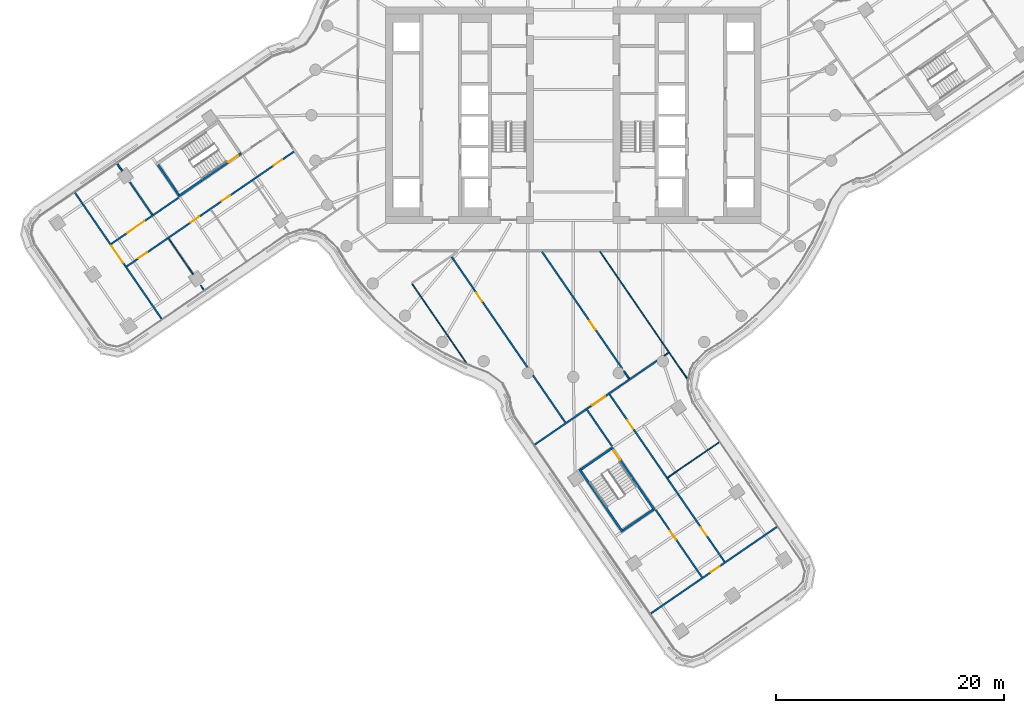
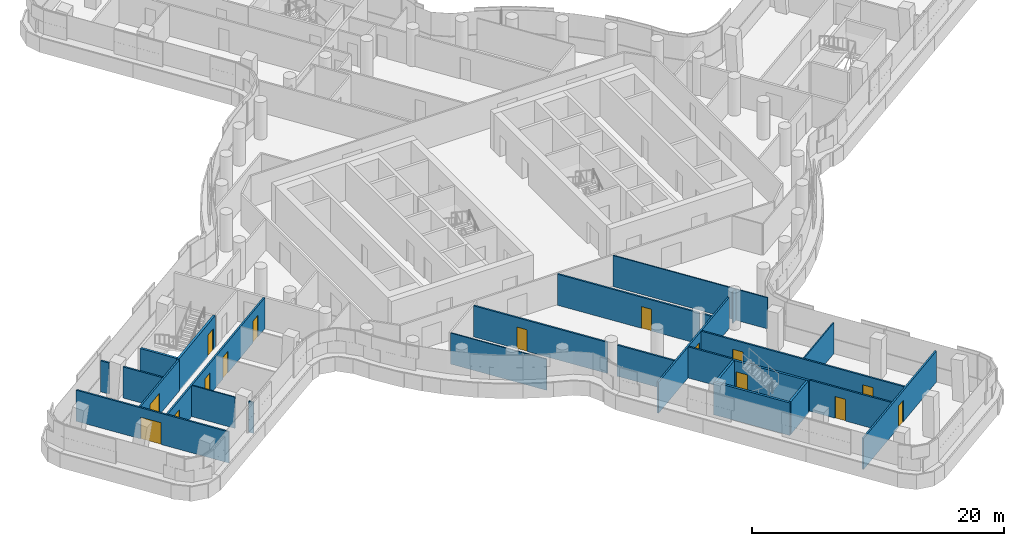
# One storey, part 21 of 33: 26 walls, 15 doors, 15 openings.
"""IFC4 building model written with IfcOpenShell, lengths in metres."""

import ifcopenshell
import ifcopenshell.guid

model = None  # the IFC model being written
_history = None  # IfcOwnerHistory: only IFC2X3 demands one
_inside = {}  # id of a spatial element -> (the spatial element, [elements in it])
_under = {}  # id of a project, library or spatial element -> (it, [spatial elements below it])
_declared = {}  # id of a project -> (the project, [libraries it declares])
_typed = {}  # id of a type object -> (the type object, [elements of that type])
_made_of = {}  # id of a material, layer set ... -> (it, [elements and type objects made of it])


def new_model(schema):
    """Start an empty IFC model of exactly this schema.

    Asked for "IFC4X3", IfcOpenShell would pick the latest addendum, in which some entities
    have other attributes; the version numbers below select the first issue.
    IFC2X3 requires an IfcOwnerHistory on every rooted entity: one is made here for all.
    """
    global model, _history
    if schema == "IFC4X3":
        model = ifcopenshell.file(schema_version=(4, 3, 0, 0))
    else:
        model = ifcopenshell.file(schema=schema)
    _inside.clear()
    _under.clear()
    _declared.clear()
    _typed.clear()
    _made_of.clear()
    _history = None
    if model.schema == "IFC2X3":
        org = make("IfcOrganization", Name="unknown")
        user = make(
            "IfcPersonAndOrganization",
            ThePerson=make("IfcPerson", FamilyName="unknown"),
            TheOrganization=org,
        )
        app = make(
            "IfcApplication",
            ApplicationDeveloper=org,
            Version="unknown",
            ApplicationFullName="unknown",
            ApplicationIdentifier="unknown",
        )
        _history = make(
            "IfcOwnerHistory",
            OwningUser=user,
            OwningApplication=app,
            ChangeAction="ADDED",
            CreationDate=0,
        )
    return model


def make(cls, **values):
    """One entity of the class cls with the attributes given. An attribute that is None is left unset."""
    return model.create_entity(
        cls, **{name: value for name, value in values.items() if value is not None}
    )


def rooted(cls, **values):
    """An entity with a GlobalId (a new one), such as an element, a storey or a relation."""
    return make(cls, GlobalId=ifcopenshell.guid.new(), OwnerHistory=_history, **values)


def si_unit(unit_type, name, prefix=None):
    """IfcSIUnit, for example si_unit("LENGTHUNIT", "METRE", prefix="MILLI")."""
    return make("IfcSIUnit", UnitType=unit_type, Prefix=prefix, Name=name)


def assignment(units):
    """IfcUnitAssignment: the units of a project."""
    return None if units is None else make("IfcUnitAssignment", Units=units)


def point(xyz):
    """IfcCartesianPoint."""
    return None if xyz is None else make("IfcCartesianPoint", Coordinates=xyz)


def direction(xyz):
    """IfcDirection."""
    return None if xyz is None else make("IfcDirection", DirectionRatios=xyz)


def frame(location, z_axis=None, x_axis=None):
    """IfcAxis2Placement3D, a coordinate frame: its origin and axes. An axis left out is left unset."""
    return make(
        "IfcAxis2Placement3D",
        Location=point(location),
        Axis=direction(z_axis),
        RefDirection=direction(x_axis),
    )


def frame_2d(location, x_axis=None):
    """IfcAxis2Placement2D, a coordinate frame in the plane: its origin and x axis."""
    return make(
        "IfcAxis2Placement2D", Location=point(location), RefDirection=direction(x_axis)
    )


def origin():
    """The frame at (0, 0, 0) with its axes left unset."""
    return frame((0.0, 0.0, 0.0))


def place(relative_to, where):
    """IfcLocalPlacement: puts the frame where relative to a parent placement (None: the world)."""
    return make(
        "IfcLocalPlacement", PlacementRelTo=relative_to, RelativePlacement=where
    )


def context(
    kind, dimensions, precision=None, world=None, true_north=None, identifier=None
):
    """IfcGeometricRepresentationContext, for example the 3D "Model" context."""
    return make(
        "IfcGeometricRepresentationContext",
        ContextIdentifier=identifier,
        ContextType=kind,
        CoordinateSpaceDimension=dimensions,
        Precision=precision,
        WorldCoordinateSystem=world,
        TrueNorth=true_north,
    )


def subcontext(parent, identifier, kind, view, scale=None):
    """IfcGeometricRepresentationSubContext, for example "Body" below "Model"."""
    return make(
        "IfcGeometricRepresentationSubContext",
        ContextIdentifier=identifier,
        ContextType=kind,
        ParentContext=parent,
        TargetScale=scale,
        TargetView=view,
    )


def project(units=None, contexts=None):
    """IfcProject with its units and contexts."""
    return rooted(
        "IfcProject",
        Name="project",
        RepresentationContexts=contexts,
        UnitsInContext=assignment(units),
    )


def spatial(cls, under=None, at=None, **own):
    """A site, building, storey or space (cls), placed at a placement, below another one or the project."""
    s = rooted(cls, ObjectPlacement=at, **own)
    if under is not None:
        _under.setdefault(under.id(), (under, []))[1].append(s)
    return s


def polyline(points):
    """IfcPolyline through the points."""
    return make("IfcPolyline", Points=[point(p) for p in points])


def profile(cls, at=None, kind="AREA", **sizes):
    """A parametric profile (cls). Its sizes go by their IFC names, for example OverallWidth=200.0."""
    return make(cls, ProfileType=kind, Position=at, **sizes)


def rectangle(**sizes):
    """IfcRectangleProfileDef."""
    return profile("IfcRectangleProfileDef", **sizes)


def outline(outer, holes=None, kind="AREA"):
    """IfcArbitraryClosedProfileDef: a profile drawn as a closed curve; with holes, ...WithVoids."""
    if holes is None:
        return make("IfcArbitraryClosedProfileDef", ProfileType=kind, OuterCurve=outer)
    return make(
        "IfcArbitraryProfileDefWithVoids",
        ProfileType=kind,
        OuterCurve=outer,
        InnerCurves=holes,
    )


def extrude(swept, where, along, depth):
    """IfcExtrudedAreaSolid: the profile swept, set in the frame where, extruded along a direction by depth."""
    return make(
        "IfcExtrudedAreaSolid",
        SweptArea=swept,
        Position=where,
        ExtrudedDirection=direction(along),
        Depth=depth,
    )


def shape(context_of_items, identifier, shape_type, items):
    """IfcShapeRepresentation: the items that make up one representation, for example the "Body"."""
    return make(
        "IfcShapeRepresentation",
        ContextOfItems=context_of_items,
        RepresentationIdentifier=identifier,
        RepresentationType=shape_type,
        Items=items,
    )


def material(Name=None, Category=None):
    """IfcMaterial."""
    return make("IfcMaterial", Name=Name, Category=Category)


def layer(
    of_material, thickness, ventilated=None, Name=None, Category=None, Priority=None
):
    """IfcMaterialLayer: one layer of a wall or slab, of a material (None: an air gap)."""
    return make(
        "IfcMaterialLayer",
        Material=of_material,
        LayerThickness=thickness,
        IsVentilated=ventilated,
        Name=Name,
        Category=Category,
        Priority=Priority,
    )


def layer_set(layers, Name=None):
    """IfcMaterialLayerSet."""
    return make("IfcMaterialLayerSet", MaterialLayers=layers, LayerSetName=Name)


def made_of(thing, what):
    """Note that an element or type object is made of a material, layer set ...; save() writes the relation."""
    if what is not None:
        _made_of.setdefault(what.id(), (what, []))[1].append(thing)
    return thing


def type_object(cls, material=None, **own):
    """A type object (cls), such as IfcWallType, which elements share."""
    return made_of(rooted(cls, **own), material)


def element(
    cls,
    number,
    at=None,
    inside=None,
    cuts=None,
    type_object=None,
    material=None,
    context=None,
    identifier="Body",
    shape_type=None,
    held_by="IfcProductDefinitionShape",
    body=None,
    shapes=None,
    **own,
):
    """One element of the class cls, such as IfcWall. Its Tag is "e" and its number.

    at: its placement. inside: the storey or other place that contains it. cuts: it is an
    opening in that element (IfcRelVoidsElement). A single representation is given by context,
    identifier, shape_type and body (its items); several are given by shapes. held_by: the class
    of the entity that holds the representations. save() writes the other relations.
    """
    e = rooted(cls, Tag="e%d" % number, ObjectPlacement=at, **own)
    if body is not None:
        shapes = [shape(context, identifier, shape_type, body)]
    if shapes is not None:
        e.Representation = make(held_by, Representations=shapes)
    if inside is not None:
        _inside.setdefault(inside.id(), (inside, []))[1].append(e)
    if cuts is not None:
        rooted(
            "IfcRelVoidsElement", RelatingBuildingElement=cuts, RelatedOpeningElement=e
        )
    if type_object is not None:
        _typed.setdefault(type_object.id(), (type_object, []))[1].append(e)
    return made_of(e, material)


def fill(opening, filler):
    """IfcRelFillsElement: the door or window that sits in an opening."""
    return rooted(
        "IfcRelFillsElement",
        RelatingOpeningElement=opening,
        RelatedBuildingElement=filler,
    )


def aggregate(whole, parts):
    """IfcRelAggregates: a whole, such as a stair, and the parts it consists of."""
    return rooted("IfcRelAggregates", RelatingObject=whole, RelatedObjects=parts)


def save(model, path):
    """Write the relations noted so far, then the file.

    IfcRelAggregates (storeys below a building ...), IfcRelContainedInSpatialStructure (elements
    in a storey), IfcRelDefinesByType, IfcRelAssociatesMaterial and IfcRelDeclares: one each for
    every whole, place, type object, material and project.
    """
    for whole, parts in _under.values():
        aggregate(whole, parts)
    for where, things in _inside.values():
        rooted(
            "IfcRelContainedInSpatialStructure",
            RelatedElements=things,
            RelatingStructure=where,
        )
    for kind, things in _typed.values():
        rooted("IfcRelDefinesByType", RelatedObjects=things, RelatingType=kind)
    for what, things in _made_of.values():
        rooted("IfcRelAssociatesMaterial", RelatedObjects=things, RelatingMaterial=what)
    for by, libraries in _declared.values():
        rooted("IfcRelDeclares", RelatingContext=by, RelatedDefinitions=libraries)
    model.write(path)


model = new_model("IFC4")

# Units and contexts
model_context = context("Model", 3, precision=1e-05, world=origin(), true_north=direction((0.0, 1.0)))
body_context = subcontext(model_context, "Body", "Model", "MODEL_VIEW")
ifc_project = project(units=[si_unit("LENGTHUNIT", "METRE"), si_unit("AREAUNIT", "SQUARE_METRE"), si_unit("VOLUMEUNIT", "CUBIC_METRE"), si_unit("PLANEANGLEUNIT", "RADIAN"), si_unit("MASSUNIT", "GRAM", prefix="KILO")], contexts=[model_context])

# Site, building, storey
site_placement = place(None, origin())
site = spatial("IfcSite", under=ifc_project, at=site_placement, CompositionType="ELEMENT")
building_placement = place(site_placement, origin())
building = spatial("IfcBuilding", under=site, at=building_placement, Name="Tamarind Cross Interchange Tower", CompositionType="ELEMENT")
storey_placement = place(building_placement, frame((0.0, 0.0, 159.25)))
storey = spatial("IfcBuildingStorey", under=building, at=storey_placement, Name="L39", CompositionType="ELEMENT", Elevation=159.25)

# Walls
ifc_material_1 = material(Name="Gypsum board partition on steel studs", Category="steel")
ifc_layer_1 = layer(ifc_material_1, 0.10009765625)
ifc_layer_set_1 = layer_set([ifc_layer_1], Name="Gypsum board partition on steel studs")
wall_type_1 = type_object("IfcWallType", Name="Partition 100 mm EI 90", PredefinedType="PARTITIONING", material=ifc_layer_set_1)
wall_1_placement = place(storey_placement, frame((-35.538818359375, -10.84423828125, 0.0), z_axis=(0.0, 0.0, 1.0), x_axis=(0.566146246525, -0.824304814705, 0.0)))
element("IfcWall", 1, at=wall_1_placement, inside=storey, type_object=wall_type_1, Name="Partition L39-004", PredefinedType="PARTITIONING", context=body_context, shape_type="SweptSolid", body=[
    extrude(rectangle(XDim=3.792236328125, YDim=0.10009765625, at=frame_2d((1.89599609375, 0.0))), origin(), (0.0, 0.0, 1.0), 3.010009765625),
])
wall_2_placement = place(storey_placement, frame((-32.714111328125, -14.956787109375, 0.0), z_axis=(0.0, 0.0, 1.0), x_axis=(0.565979137288, -0.82441956318, 0.0)))
element("IfcWall", 2, at=wall_2_placement, inside=storey, type_object=wall_type_1, Name="Partition L39-005", PredefinedType="PARTITIONING", context=body_context, shape_type="SweptSolid", body=[
    extrude(rectangle(XDim=0.452392578125, YDim=0.10009765625, at=frame_2d((0.22607421875, 0.0))), origin(), (0.0, 0.0, 1.0), 3.010009765625),
])
wall_3_placement = place(storey_placement, frame((-14.1474609375, -14.82373046875, 0.0), z_axis=(0.0, 0.0, 1.0), x_axis=(0.566078955543, -0.824351027228, 0.0)))
element("IfcWall", 3, at=wall_3_placement, inside=storey, type_object=wall_type_1, Name="Partition L39-012", PredefinedType="PARTITIONING", context=body_context, shape_type="SweptSolid", body=[
    extrude(rectangle(XDim=8.408203125, YDim=0.10009765625, at=frame_2d((4.2041015625, 0.0))), origin(), (0.0, 0.0, 1.0), 3.010009765625),
])
wall_4_placement = place(storey_placement, frame((2.343505859375, -11.986572265625, 0.0), z_axis=(0.0, 0.0, 1.0), x_axis=(0.566059881592, -0.824364124918, 0.0)))
element("IfcWall", 4, at=wall_4_placement, inside=storey, type_object=wall_type_1, Name="Partition L39-028", PredefinedType="PARTITIONING", context=body_context, shape_type="SweptSolid", body=[
    extrude(rectangle(XDim=13.547119140625, YDim=0.10009765625, at=frame_2d((6.7734375, 0.0))), origin(), (0.0, 0.0, 1.0), 3.010009765625),
])
wall_5_placement = place(storey_placement, frame((7.977294921875, -21.132568359375, 0.0), z_axis=(0.0, 0.0, 1.0), x_axis=(0.824587344579, 0.565734664981, 0.0)))
element("IfcWall", 5, at=wall_5_placement, inside=storey, type_object=wall_type_1, Name="Partition L39-064", PredefinedType="PARTITIONING", context=body_context, shape_type="SweptSolid", body=[
    extrude(rectangle(XDim=0.48291015625, YDim=0.10009765625, at=frame_2d((0.241455078125, 0.0))), origin(), (0.0, 0.0, 1.0), 3.010009765625),
])
wall_6_placement = place(storey_placement, frame((8.296875, -31.82958984375, 0.0), z_axis=(0.0, 0.0, 1.0), x_axis=(0.824365842657, 0.566057380008, 0.0)))
element("IfcWall", 6, at=wall_6_placement, inside=storey, type_object=wall_type_1, Name="Partition L39-066", PredefinedType="PARTITIONING", context=body_context, shape_type="SweptSolid", body=[
    extrude(rectangle(XDim=5.45166015625, YDim=0.10009765625, at=frame_2d((2.725830078125, 0.0))), origin(), (0.0, 0.0, 1.0), 3.010009765625),
])

# Wall, opening, door
ifc_layer_2 = layer(ifc_material_1, 0.14990234375)
ifc_layer_set_2 = layer_set([ifc_layer_2], Name="Gypsum board partition on steel studs")
wall_type_2 = type_object("IfcWallType", Name="Partition 150 mm EI 120", PredefinedType="PARTITIONING", material=ifc_layer_set_2)
wall_7_placement = place(storey_placement, frame((-43.7626953125, -6.818603515625, 0.0), z_axis=(0.0, 0.0, 1.0), x_axis=(0.566078915441, -0.824351054766, 0.0)))
wall_7 = element("IfcWall", 7, at=wall_7_placement, inside=storey, type_object=wall_type_2, Name="Partition L39-001", PredefinedType="PARTITIONING", context=body_context, shape_type="SweptSolid", body=[
    extrude(rectangle(XDim=13.406005859375, YDim=0.14990234375, at=frame_2d((6.703125, 0.0))), origin(), (0.0, 0.0, 1.0), 3.010009765625),
])
opening_1_placement = place(wall_7_placement, frame((5.649169921875, 0.0, 0.0)))
opening_1 = element("IfcOpeningElement", 8, at=opening_1_placement, cuts=wall_7, Name="Opening D01", PredefinedType="OPENING", context=body_context, shape_type="SweptSolid", body=[
    extrude(rectangle(XDim=1.800048828125, YDim=2.10009765625, at=frame_2d((0.89990234375, 1.050048828125))), frame((0.0, 0.0849609375, 0.0), z_axis=(0.0, -1.0, 0.0), x_axis=(1.0, 0.0, 0.0)), (0.0, 0.0, 1.0), 0.169921875),
])
ifc_material_2 = material(Name="Fire-resisting door set")
door_type_1 = type_object("IfcDoorType", Name="Interior door 1800 x 2100 FD60S", OperationType="DOUBLE_DOOR_SINGLE_SWING", PredefinedType="DOOR", material=ifc_material_2)
door_1_placement = place(opening_1_placement, frame((1.800048828125, 0.0, 0.0), z_axis=(0.0, 0.0, 1.0), x_axis=(-1.0, 0.0, 0.0)))
door_1 = element("IfcDoor", 9, at=door_1_placement, inside=storey, type_object=door_type_1, Name="Door D01", OperationType="DOUBLE_DOOR_SINGLE_SWING", OverallHeight=2.10009765625, OverallWidth=1.800048828125, PredefinedType="DOOR", context=body_context, shape_type="SweptSolid", body=[
    extrude(rectangle(XDim=1.800048828125, YDim=2.10009765625, at=frame_2d((0.89990234375, 1.050048828125))), frame((0.0, 0.02490234375, 0.0), z_axis=(0.0, -1.0, 0.0), x_axis=(1.0, 0.0, 0.0)), (0.0, 0.0, 1.0), 0.050048828125),
])
fill(opening_1, door_1)

# Walls
wall_8_placement = place(storey_placement, frame((-40.05322265625, -4.27099609375, 0.0), z_axis=(0.0, 0.0, 1.0), x_axis=(0.566072578484, -0.824355406296, 0.0)))
element("IfcWall", 10, at=wall_8_placement, inside=storey, type_object=wall_type_2, Name="Partition L39-002", PredefinedType="PARTITIONING", context=body_context, shape_type="SweptSolid", body=[
    extrude(rectangle(XDim=0.74951171875, YDim=0.14990234375, at=frame_2d((0.374755859375, 0.0))), origin(), (0.0, 0.0, 1.0), 3.010009765625),
])
wall_9_placement = place(storey_placement, frame((-38.95068359375, -5.87646484375, 0.0), z_axis=(0.0, 0.0, 1.0), x_axis=(0.566137759642, -0.824310643573, 0.0)))
element("IfcWall", 11, at=wall_9_placement, inside=storey, type_object=wall_type_2, Name="Partition L39-003", PredefinedType="PARTITIONING", context=body_context, shape_type="SweptSolid", body=[
    extrude(rectangle(XDim=3.471435546875, YDim=0.14990234375, at=frame_2d((1.73583984375, 0.0))), origin(), (0.0, 0.0, 1.0), 3.010009765625),
])

# Wall, opening, door
wall_10_placement = place(storey_placement, frame((-10.6826171875, -12.449951171875, 0.0), z_axis=(0.0, 0.0, 1.0), x_axis=(0.566088385471, -0.82434455165, 0.0)))
wall_10 = element("IfcWall", 12, at=wall_10_placement, inside=storey, type_object=wall_type_2, Name="Partition L39-016", PredefinedType="PARTITIONING", context=body_context, shape_type="SweptSolid", body=[
    extrude(rectangle(XDim=11.764892578125, YDim=0.14990234375, at=frame_2d((5.88232421875, 0.0))), origin(), (0.0, 0.0, 1.0), 3.010009765625),
])
opening_2_placement = place(wall_10_placement, frame((3.820068359375, 0.0, 0.0)))
opening_2 = element("IfcOpeningElement", 13, at=opening_2_placement, cuts=wall_10, Name="Opening D08", PredefinedType="OPENING", context=body_context, shape_type="SweptSolid", body=[
    extrude(rectangle(XDim=0.89990234375, YDim=2.10009765625, at=frame_2d((0.449951171875, 1.050048828125))), frame((0.0, 0.0849609375, 0.0), z_axis=(0.0, -1.0, 0.0), x_axis=(1.0, 0.0, 0.0)), (0.0, 0.0, 1.0), 0.169921875),
])
door_type_2 = type_object("IfcDoorType", Name="Interior door 900 x 2100 FD60S", OperationType="SINGLE_SWING_LEFT", PredefinedType="DOOR", material=ifc_material_2)
door_2_placement = place(opening_2_placement, frame((0.89990234375, 0.0, 0.0), z_axis=(0.0, 0.0, 1.0), x_axis=(-1.0, 0.0, 0.0)))
door_2 = element("IfcDoor", 14, at=door_2_placement, inside=storey, type_object=door_type_2, Name="Door D08", OperationType="SINGLE_SWING_LEFT", OverallHeight=2.10009765625, OverallWidth=0.89990234375, PredefinedType="DOOR", context=body_context, shape_type="SweptSolid", body=[
    extrude(rectangle(XDim=0.89990234375, YDim=2.10009765625, at=frame_2d((0.449951171875, 1.050048828125))), frame((0.0, 0.02490234375, 0.0), z_axis=(0.0, -1.0, 0.0), x_axis=(1.0, 0.0, 0.0)), (0.0, 0.0, 1.0), 0.050048828125),
])
fill(opening_2, door_2)

# Wall
wall_11_placement = place(storey_placement, frame((-3.538330078125, -22.853759765625, 0.0), z_axis=(0.0, 0.0, 1.0), x_axis=(0.566064232762, -0.824361137116, 0.0)))
element("IfcWall", 15, at=wall_11_placement, inside=storey, type_object=wall_type_2, Name="Partition L39-017", PredefinedType="PARTITIONING", context=body_context, shape_type="SweptSolid", body=[
    extrude(rectangle(XDim=5.01904296875, YDim=0.14990234375, at=frame_2d((2.509521484375, 0.0))), origin(), (0.0, 0.0, 1.0), 3.010009765625),
])

# Wall, opening, door
wall_12_placement = place(storey_placement, frame((-2.7431640625, -11.998779296875, 0.0), z_axis=(0.0, 0.0, 1.0), x_axis=(0.566083821622, -0.824347685687, 0.0)))
wall_12 = element("IfcWall", 16, at=wall_12_placement, inside=storey, type_object=wall_type_2, Name="Partition L39-021", PredefinedType="PARTITIONING", context=body_context, shape_type="SweptSolid", body=[
    extrude(rectangle(XDim=12.459228515625, YDim=0.14990234375, at=frame_2d((6.2294921875, 0.0))), origin(), (0.0, 0.0, 1.0), 3.010009765625),
])
opening_3_placement = place(wall_12_placement, frame((7.3798828125, 0.0, 0.0)))
opening_3 = element("IfcOpeningElement", 17, at=opening_3_placement, cuts=wall_12, Name="Opening D10", PredefinedType="OPENING", context=body_context, shape_type="SweptSolid", body=[
    extrude(rectangle(XDim=0.89990234375, YDim=2.10009765625, at=frame_2d((0.449951171875, 1.050048828125))), frame((0.0, 0.0849609375, 0.0), z_axis=(0.0, -1.0, 0.0), x_axis=(1.0, 0.0, 0.0)), (0.0, 0.0, 1.0), 0.169921875),
])
door_3_placement = place(opening_3_placement, origin())
door_3 = element("IfcDoor", 18, at=door_3_placement, inside=storey, type_object=door_type_2, Name="Door D10", OperationType="SINGLE_SWING_LEFT", OverallHeight=2.10009765625, OverallWidth=0.89990234375, PredefinedType="DOOR", context=body_context, shape_type="SweptSolid", body=[
    extrude(rectangle(XDim=0.89990234375, YDim=2.10009765625, at=frame_2d((0.449951171875, 1.050048828125))), frame((0.0, 0.02490234375, 0.0), z_axis=(0.0, -1.0, 0.0), x_axis=(1.0, 0.0, 0.0)), (0.0, 0.0, 1.0), 0.050048828125),
])
fill(opening_3, door_3)

# Walls
wall_13_placement = place(storey_placement, frame((4.460693359375, -22.48974609375, 0.0), z_axis=(0.0, 0.0, 1.0), x_axis=(0.566109769755, -0.824329866369, 0.0)))
element("IfcWall", 19, at=wall_13_placement, inside=storey, type_object=wall_type_2, Name="Partition L39-022", PredefinedType="PARTITIONING", context=body_context, shape_type="SweptSolid", body=[
    extrude(rectangle(XDim=0.791259765625, YDim=0.14990234375, at=frame_2d((0.3955078125, 0.0))), origin(), (0.0, 0.0, 1.0), 3.010009765625),
])
wall_14_placement = place(storey_placement, frame((1.207275390625, -25.8779296875, 0.0), z_axis=(0.0, 0.0, 1.0), x_axis=(0.566018630518, -0.824392448963, 0.0)))
element("IfcWall", 20, at=wall_14_placement, inside=storey, type_object=wall_type_2, Name="Partition L39-026", PredefinedType="PARTITIONING", context=body_context, shape_type="SweptSolid", body=[
    extrude(rectangle(XDim=3.8798828125, YDim=0.14990234375, at=frame_2d((1.93994140625, 0.0))), origin(), (0.0, 0.0, 1.0), 3.010009765625),
])

# Wall, opening, door
wall_15_placement = place(storey_placement, frame((7.240966796875, -34.666015625, 0.0), z_axis=(0.0, 0.0, 1.0), x_axis=(0.566033750433, -0.824382067594, 0.0)))
wall_15 = element("IfcWall", 21, at=wall_15_placement, inside=storey, type_object=wall_type_2, Name="Partition L39-027", PredefinedType="PARTITIONING", context=body_context, shape_type="SweptSolid", body=[
    extrude(rectangle(XDim=7.18017578125, YDim=0.14990234375, at=frame_2d((3.590087890625, 0.0))), origin(), (0.0, 0.0, 1.0), 3.010009765625),
])
opening_4_placement = place(wall_15_placement, frame((2.25, 0.0, 0.0)))
opening_4 = element("IfcOpeningElement", 22, at=opening_4_placement, cuts=wall_15, Name="Opening D14", PredefinedType="OPENING", context=body_context, shape_type="SweptSolid", body=[
    extrude(rectangle(XDim=0.89990234375, YDim=2.10009765625, at=frame_2d((0.449951171875, 1.050048828125))), frame((0.0, 0.0849609375, 0.0), z_axis=(0.0, -1.0, 0.0), x_axis=(1.0, 0.0, 0.0)), (0.0, 0.0, 1.0), 0.169921875),
])
door_4_placement = place(opening_4_placement, frame((0.89990234375, 0.0, 0.0), z_axis=(0.0, 0.0, 1.0), x_axis=(-1.0, 0.0, 0.0)))
door_4 = element("IfcDoor", 23, at=door_4_placement, inside=storey, type_object=door_type_2, Name="Door D14", OperationType="SINGLE_SWING_LEFT", OverallHeight=2.10009765625, OverallWidth=0.89990234375, PredefinedType="DOOR", context=body_context, shape_type="SweptSolid", body=[
    extrude(rectangle(XDim=0.89990234375, YDim=2.10009765625, at=frame_2d((0.449951171875, 1.050048828125))), frame((0.0, 0.02490234375, 0.0), z_axis=(0.0, -1.0, 0.0), x_axis=(1.0, 0.0, 0.0)), (0.0, 0.0, 1.0), 0.050048828125),
])
fill(opening_4, door_4)

# Wall, openings, doors
wall_16_placement = place(storey_placement, frame((3.185302734375, -24.518798828125, 0.0), z_axis=(0.0, 0.0, 1.0), x_axis=(0.566101866159, -0.824335294119, 0.0)))
wall_16 = element("IfcWall", 24, at=wall_16_placement, inside=storey, type_object=wall_type_2, Name="Partition L39-029", PredefinedType="PARTITIONING", context=body_context, shape_type="SweptSolid", body=[
    extrude(rectangle(XDim=17.840087890625, YDim=0.14990234375, at=frame_2d((8.919921875, 0.0))), origin(), (0.0, 0.0, 1.0), 3.010009765625),
])
opening_5_placement = place(wall_16_placement, frame((2.77001953125, 0.0, 0.0)))
opening_5 = element("IfcOpeningElement", 25, at=opening_5_placement, cuts=wall_16, Name="Opening D15", PredefinedType="OPENING", context=body_context, shape_type="SweptSolid", body=[
    extrude(rectangle(XDim=0.89990234375, YDim=2.10009765625, at=frame_2d((0.449951171875, 1.050048828125))), frame((0.0, 0.0849609375, 0.0), z_axis=(0.0, -1.0, 0.0), x_axis=(1.0, 0.0, 0.0)), (0.0, 0.0, 1.0), 0.169921875),
])
opening_6_placement = place(wall_16_placement, frame((14.169921875, 0.0, 0.0)))
opening_6 = element("IfcOpeningElement", 26, at=opening_6_placement, cuts=wall_16, Name="Opening D16", PredefinedType="OPENING", context=body_context, shape_type="SweptSolid", body=[
    extrude(rectangle(XDim=0.89990234375, YDim=2.10009765625, at=frame_2d((0.449951171875, 1.050048828125))), frame((0.0, 0.0849609375, 0.0), z_axis=(0.0, -1.0, 0.0), x_axis=(1.0, 0.0, 0.0)), (0.0, 0.0, 1.0), 0.169921875),
])
door_5_placement = place(opening_5_placement, origin())
door_5 = element("IfcDoor", 27, at=door_5_placement, inside=storey, type_object=door_type_2, Name="Door D15", OperationType="SINGLE_SWING_RIGHT", OverallHeight=2.10009765625, OverallWidth=0.89990234375, PredefinedType="DOOR", context=body_context, shape_type="SweptSolid", body=[
    extrude(rectangle(XDim=0.89990234375, YDim=2.10009765625, at=frame_2d((0.449951171875, 1.050048828125))), frame((0.0, 0.02490234375, 0.0), z_axis=(0.0, -1.0, 0.0), x_axis=(1.0, 0.0, 0.0)), (0.0, 0.0, 1.0), 0.050048828125),
])
fill(opening_5, door_5)
door_6_placement = place(opening_6_placement, origin())
door_6 = element("IfcDoor", 28, at=door_6_placement, inside=storey, type_object=door_type_2, Name="Door D16", OperationType="SINGLE_SWING_LEFT", OverallHeight=2.10009765625, OverallWidth=0.89990234375, PredefinedType="DOOR", context=body_context, shape_type="SweptSolid", body=[
    extrude(rectangle(XDim=0.89990234375, YDim=2.10009765625, at=frame_2d((0.449951171875, 1.050048828125))), frame((0.0, 0.02490234375, 0.0), z_axis=(0.0, -1.0, 0.0), x_axis=(1.0, 0.0, 0.0)), (0.0, 0.0, 1.0), 0.050048828125),
])
fill(opening_6, door_6)

# Wall, opening, door
wall_17_placement = place(storey_placement, frame((-40.583984375, -11.306640625, 0.0), z_axis=(0.0, 0.0, 1.0), x_axis=(0.824328542073, 0.566111698098, 0.0)))
wall_17 = element("IfcWall", 29, at=wall_17_placement, inside=storey, type_object=wall_type_2, Name="Partition L39-041", PredefinedType="PARTITIONING", context=body_context, shape_type="SweptSolid", body=[
    extrude(rectangle(XDim=7.179931640625, YDim=0.14990234375, at=frame_2d((3.58984375, 0.0))), origin(), (0.0, 0.0, 1.0), 3.010009765625),
])
opening_7_placement = place(wall_17_placement, frame((1.719970703125, 0.0, 0.0)))
opening_7 = element("IfcOpeningElement", 30, at=opening_7_placement, cuts=wall_17, Name="Opening D25", PredefinedType="OPENING", context=body_context, shape_type="SweptSolid", body=[
    extrude(rectangle(XDim=1.800048828125, YDim=2.10009765625, at=frame_2d((0.89990234375, 1.050048828125))), frame((0.0, 0.0849609375, 0.0), z_axis=(0.0, -1.0, 0.0), x_axis=(1.0, 0.0, 0.0)), (0.0, 0.0, 1.0), 0.169921875),
])
door_7_placement = place(opening_7_placement, origin())
door_7 = element("IfcDoor", 31, at=door_7_placement, inside=storey, type_object=door_type_1, Name="Door D25", OperationType="DOUBLE_DOOR_SINGLE_SWING", OverallHeight=2.10009765625, OverallWidth=1.800048828125, PredefinedType="DOOR", context=body_context, shape_type="SweptSolid", body=[
    extrude(rectangle(XDim=1.800048828125, YDim=2.10009765625, at=frame_2d((0.89990234375, 1.050048828125))), frame((0.0, 0.02490234375, 0.0), z_axis=(0.0, -1.0, 0.0), x_axis=(1.0, 0.0, 0.0)), (0.0, 0.0, 1.0), 0.050048828125),
])
fill(opening_7, door_7)

# Wall, openings, doors
wall_18_placement = place(storey_placement, frame((-39.22509765625, -13.28466796875, 0.0), z_axis=(0.0, 0.0, 1.0), x_axis=(0.824350092668, 0.56608031649, 0.0)))
wall_18 = element("IfcWall", 32, at=wall_18_placement, inside=storey, type_object=wall_type_2, Name="Partition L39-043", PredefinedType="PARTITIONING", context=body_context, shape_type="SweptSolid", body=[
    extrude(rectangle(XDim=17.81494140625, YDim=0.14990234375, at=frame_2d((8.907470703125, 0.0))), origin(), (0.0, 0.0, 1.0), 3.010009765625),
])
opening_8_placement = place(wall_18_placement, frame((15.66943359375, 0.0, 0.0)))
opening_8 = element("IfcOpeningElement", 33, at=opening_8_placement, cuts=wall_18, Name="Opening D27", PredefinedType="OPENING", context=body_context, shape_type="SweptSolid", body=[
    extrude(rectangle(XDim=0.89990234375, YDim=2.10009765625, at=frame_2d((0.449951171875, 1.050048828125))), frame((0.0, 0.0849609375, 0.0), z_axis=(0.0, -1.0, 0.0), x_axis=(1.0, 0.0, 0.0)), (0.0, 0.0, 1.0), 0.169921875),
])
opening_9_placement = place(wall_18_placement, frame((10.1201171875, 0.0, 0.0)))
opening_9 = element("IfcOpeningElement", 34, at=opening_9_placement, cuts=wall_18, Name="Opening D28", PredefinedType="OPENING", context=body_context, shape_type="SweptSolid", body=[
    extrude(rectangle(XDim=0.89990234375, YDim=2.10009765625, at=frame_2d((0.449951171875, 1.050048828125))), frame((0.0, 0.0849609375, 0.0), z_axis=(0.0, -1.0, 0.0), x_axis=(1.0, 0.0, 0.0)), (0.0, 0.0, 1.0), 0.169921875),
])
opening_10_placement = place(wall_18_placement, frame((6.8193359375, 0.0, 0.0)))
opening_10 = element("IfcOpeningElement", 35, at=opening_10_placement, cuts=wall_18, Name="Opening D29", PredefinedType="OPENING", context=body_context, shape_type="SweptSolid", body=[
    extrude(rectangle(XDim=0.89990234375, YDim=2.10009765625, at=frame_2d((0.449951171875, 1.050048828125))), frame((0.0, 0.0849609375, 0.0), z_axis=(0.0, -1.0, 0.0), x_axis=(1.0, 0.0, 0.0)), (0.0, 0.0, 1.0), 0.169921875),
])
opening_11_placement = place(wall_18_placement, frame((1.27001953125, 0.0, 0.0)))
opening_11 = element("IfcOpeningElement", 36, at=opening_11_placement, cuts=wall_18, Name="Opening D30", PredefinedType="OPENING", context=body_context, shape_type="SweptSolid", body=[
    extrude(rectangle(XDim=0.89990234375, YDim=2.10009765625, at=frame_2d((0.449951171875, 1.050048828125))), frame((0.0, 0.0849609375, 0.0), z_axis=(0.0, -1.0, 0.0), x_axis=(1.0, 0.0, 0.0)), (0.0, 0.0, 1.0), 0.169921875),
])
door_8_placement = place(opening_8_placement, frame((0.89990234375, 0.0, 0.0), z_axis=(0.0, 0.0, 1.0), x_axis=(-1.0, 0.0, 0.0)))
door_8 = element("IfcDoor", 37, at=door_8_placement, inside=storey, type_object=door_type_2, Name="Door D27", OperationType="SINGLE_SWING_RIGHT", OverallHeight=2.10009765625, OverallWidth=0.89990234375, PredefinedType="DOOR", context=body_context, shape_type="SweptSolid", body=[
    extrude(rectangle(XDim=0.89990234375, YDim=2.10009765625, at=frame_2d((0.449951171875, 1.050048828125))), frame((0.0, 0.02490234375, 0.0), z_axis=(0.0, -1.0, 0.0), x_axis=(1.0, 0.0, 0.0)), (0.0, 0.0, 1.0), 0.050048828125),
])
fill(opening_8, door_8)
door_9_placement = place(opening_9_placement, frame((0.89990234375, 0.0, 0.0), z_axis=(0.0, 0.0, 1.0), x_axis=(-1.0, 0.0, 0.0)))
door_9 = element("IfcDoor", 38, at=door_9_placement, inside=storey, type_object=door_type_2, Name="Door D28", OperationType="SINGLE_SWING_RIGHT", OverallHeight=2.10009765625, OverallWidth=0.89990234375, PredefinedType="DOOR", context=body_context, shape_type="SweptSolid", body=[
    extrude(rectangle(XDim=0.89990234375, YDim=2.10009765625, at=frame_2d((0.449951171875, 1.050048828125))), frame((0.0, 0.02490234375, 0.0), z_axis=(0.0, -1.0, 0.0), x_axis=(1.0, 0.0, 0.0)), (0.0, 0.0, 1.0), 0.050048828125),
])
fill(opening_9, door_9)
door_10_placement = place(opening_10_placement, frame((0.89990234375, 0.0, 0.0), z_axis=(0.0, 0.0, 1.0), x_axis=(-1.0, 0.0, 0.0)))
door_10 = element("IfcDoor", 39, at=door_10_placement, inside=storey, type_object=door_type_2, Name="Door D29", OperationType="SINGLE_SWING_LEFT", OverallHeight=2.10009765625, OverallWidth=0.89990234375, PredefinedType="DOOR", context=body_context, shape_type="SweptSolid", body=[
    extrude(rectangle(XDim=0.89990234375, YDim=2.10009765625, at=frame_2d((0.449951171875, 1.050048828125))), frame((0.0, 0.02490234375, 0.0), z_axis=(0.0, -1.0, 0.0), x_axis=(1.0, 0.0, 0.0)), (0.0, 0.0, 1.0), 0.050048828125),
])
fill(opening_10, door_10)
door_11_placement = place(opening_11_placement, frame((0.89990234375, 0.0, 0.0), z_axis=(0.0, 0.0, 1.0), x_axis=(-1.0, 0.0, 0.0)))
door_11 = element("IfcDoor", 40, at=door_11_placement, inside=storey, type_object=door_type_2, Name="Door D30", OperationType="SINGLE_SWING_LEFT", OverallHeight=2.10009765625, OverallWidth=0.89990234375, PredefinedType="DOOR", context=body_context, shape_type="SweptSolid", body=[
    extrude(rectangle(XDim=0.89990234375, YDim=2.10009765625, at=frame_2d((0.449951171875, 1.050048828125))), frame((0.0, 0.02490234375, 0.0), z_axis=(0.0, -1.0, 0.0), x_axis=(1.0, 0.0, 0.0)), (0.0, 0.0, 1.0), 0.050048828125),
])
fill(opening_11, door_11)

# Wall, opening, door
wall_19_placement = place(storey_placement, frame((-3.371337890625, -28.924560546875, 0.0), z_axis=(0.0, 0.0, 1.0), x_axis=(0.82439699271, 0.566012012603, 0.0)))
wall_19 = element("IfcWall", 41, at=wall_19_placement, inside=storey, type_object=wall_type_2, Name="Partition L39-063", PredefinedType="PARTITIONING", context=body_context, shape_type="SweptSolid", body=[
    extrude(rectangle(XDim=13.034423828125, YDim=0.14990234375, at=frame_2d((6.51708984375, 0.0))), origin(), (0.0, 0.0, 1.0), 3.010009765625),
])
opening_12_placement = place(wall_19_placement, frame((6.098876953125, 0.0, 0.0)))
opening_12 = element("IfcOpeningElement", 42, at=opening_12_placement, cuts=wall_19, Name="Opening D35", PredefinedType="OPENING", context=body_context, shape_type="SweptSolid", body=[
    extrude(rectangle(XDim=1.39990234375, YDim=2.10009765625, at=frame_2d((0.699951171875, 1.050048828125))), frame((0.0, 0.0849609375, 0.0), z_axis=(0.0, -1.0, 0.0), x_axis=(1.0, 0.0, 0.0)), (0.0, 0.0, 1.0), 0.169921875),
])
door_type_3 = type_object("IfcDoorType", Name="Interior door 1400 x 2100 FD60S", OperationType="DOUBLE_DOOR_SINGLE_SWING", PredefinedType="DOOR", material=ifc_material_2)
door_12_placement = place(opening_12_placement, origin())
door_12 = element("IfcDoor", 43, at=door_12_placement, inside=storey, type_object=door_type_3, Name="Door D35", OperationType="DOUBLE_DOOR_SINGLE_SWING", OverallHeight=2.10009765625, OverallWidth=1.39990234375, PredefinedType="DOOR", context=body_context, shape_type="SweptSolid", body=[
    extrude(rectangle(XDim=1.39990234375, YDim=2.10009765625, at=frame_2d((0.699951171875, 1.050048828125))), frame((0.0, 0.02490234375, 0.0), z_axis=(0.0, -1.0, 0.0), x_axis=(1.0, 0.0, 0.0)), (0.0, 0.0, 1.0), 0.050048828125),
])
fill(opening_12, door_12)

wall_20_placement = place(storey_placement, frame((6.818603515625, -43.7626953125, 0.0), z_axis=(0.0, 0.0, 1.0), x_axis=(0.824351054766, 0.566078915441, 0.0)))
wall_20 = element("IfcWall", 44, at=wall_20_placement, inside=storey, type_object=wall_type_2, Name="Partition L39-065", PredefinedType="PARTITIONING", context=body_context, shape_type="SweptSolid", body=[
    extrude(rectangle(XDim=13.406005859375, YDim=0.14990234375, at=frame_2d((6.703125, 0.0))), origin(), (0.0, 0.0, 1.0), 3.010009765625),
])
opening_13_placement = place(wall_20_placement, frame((6.399169921875, 0.0, 0.0)))
opening_13 = element("IfcOpeningElement", 45, at=opening_13_placement, cuts=wall_20, Name="Opening D36", PredefinedType="OPENING", context=body_context, shape_type="SweptSolid", body=[
    extrude(rectangle(XDim=0.89990234375, YDim=2.10009765625, at=frame_2d((0.449951171875, 1.050048828125))), frame((0.0, 0.0849609375, 0.0), z_axis=(0.0, -1.0, 0.0), x_axis=(1.0, 0.0, 0.0)), (0.0, 0.0, 1.0), 0.169921875),
])
door_13_placement = place(opening_13_placement, frame((0.89990234375, 0.0, 0.0), z_axis=(0.0, 0.0, 1.0), x_axis=(-1.0, 0.0, 0.0)))
door_13 = element("IfcDoor", 46, at=door_13_placement, inside=storey, type_object=door_type_2, Name="Door D36", OperationType="SINGLE_SWING_RIGHT", OverallHeight=2.10009765625, OverallWidth=0.89990234375, PredefinedType="DOOR", context=body_context, shape_type="SweptSolid", body=[
    extrude(rectangle(XDim=0.89990234375, YDim=2.10009765625, at=frame_2d((0.449951171875, 1.050048828125))), frame((0.0, 0.02490234375, 0.0), z_axis=(0.0, -1.0, 0.0), x_axis=(1.0, 0.0, 0.0)), (0.0, 0.0, 1.0), 0.050048828125),
])
fill(opening_13, door_13)

ifc_material_3 = material(Name="Concrete C40", Category="concrete")
ifc_layer_3 = layer(ifc_material_3, 0.199951171875)
ifc_layer_set_3 = layer_set([ifc_layer_3], Name="Concrete C40")
wall_type_3 = type_object("IfcWallType", Name="Stair shaft wall 200 mm Concrete C40", PredefinedType="SHEAR", material=ifc_layer_set_3)
wall_21_placement = place(storey_placement, frame((-29.165771484375, -3.343994140625, -0.139892578125), z_axis=(0.0, 0.0, 1.0), x_axis=(-0.824341639897, -0.566092625577, 0.0)))
wall_21 = element("IfcWall", 47, at=wall_21_placement, inside=storey, type_object=wall_type_3, Name="Core wall CWL-L39-ST5-H", PredefinedType="SHEAR", context=body_context, shape_type="SweptSolid", body=[
    extrude(rectangle(XDim=6.699951171875, YDim=0.199951171875, at=frame_2d((3.35009765625, 0.0))), origin(), (0.0, 0.0, 1.0), 3.14990234375),
])
opening_14_placement = place(wall_21_placement, frame((0.35009765625, 0.0, 0.0)))
opening_14 = element("IfcOpeningElement", 48, at=opening_14_placement, cuts=wall_21, Name="Opening ST5L39", PredefinedType="OPENING", context=body_context, shape_type="SweptSolid", body=[
    extrude(rectangle(XDim=1.0, YDim=2.10009765625, at=frame_2d((0.5, 1.050048828125))), frame((0.0, 0.10986328125, 0.0), z_axis=(0.0, -1.0, 0.0), x_axis=(1.0, 0.0, 0.0)), (0.0, 0.0, 1.0), 0.219970703125),
])
ifc_material_4 = material(Name="Steel, fire-resisting", Category="steel")
door_type_4 = type_object("IfcDoorType", Name="Core fire door 1000 x 2100 FD90", OperationType="SINGLE_SWING_LEFT", PredefinedType="DOOR", material=ifc_material_4)
door_14_placement = place(opening_14_placement, origin())
door_14 = element("IfcDoor", 49, at=door_14_placement, inside=storey, type_object=door_type_4, Name="L39 stair door ST5", OperationType="SINGLE_SWING_LEFT", OverallHeight=2.10009765625, OverallWidth=1.0, PredefinedType="DOOR", context=body_context, shape_type="SweptSolid", body=[
    extrude(rectangle(XDim=1.0, YDim=2.10009765625, at=frame_2d((0.5, 1.050048828125))), frame((0.0, 0.02490234375, 0.0), z_axis=(0.0, -1.0, 0.0), x_axis=(1.0, 0.0, 0.0)), (0.0, 0.0, 1.0), 0.050048828125),
])
fill(opening_14, door_14)

# Wall
wall_22_placement = place(storey_placement, frame((0.0, 0.0, -0.139892578125)))
element("IfcWall", 50, at=wall_22_placement, inside=storey, type_object=wall_type_3, Name="Core wall CWL-L39-ST5-CF", PredefinedType="SHEAR", context=body_context, shape_type="SweptSolid", body=[
    extrude(outline(polyline([(-36.39208984375, -4.30322265625), (-36.556884765625, -4.41650390625), (-34.74560546875, -7.05419921875), (-34.58056640625, -6.941162109375), (-36.39208984375, -4.30322265625)])), origin(), (0.0, 0.0, 1.0), 3.14990234375),
])

# Wall, opening, door
wall_23_placement = place(storey_placement, frame((3.343994140625, -29.165771484375, -0.139892578125), z_axis=(0.0, 0.0, 1.0), x_axis=(0.566092625577, -0.824341639897, 0.0)))
wall_23 = element("IfcWall", 51, at=wall_23_placement, inside=storey, type_object=wall_type_3, Name="Core wall CWL-L39-ST6-H", PredefinedType="SHEAR", context=body_context, shape_type="SweptSolid", body=[
    extrude(rectangle(XDim=6.699951171875, YDim=0.199951171875, at=frame_2d((3.35009765625, 0.0))), origin(), (0.0, 0.0, 1.0), 3.14990234375),
])
opening_15_placement = place(wall_23_placement, frame((0.35009765625, 0.0, 0.0)))
opening_15 = element("IfcOpeningElement", 52, at=opening_15_placement, cuts=wall_23, Name="Opening ST6L39", PredefinedType="OPENING", context=body_context, shape_type="SweptSolid", body=[
    extrude(rectangle(XDim=1.0, YDim=2.10009765625, at=frame_2d((0.5, 1.050048828125))), frame((0.0, 0.10986328125, 0.0), z_axis=(0.0, -1.0, 0.0), x_axis=(1.0, 0.0, 0.0)), (0.0, 0.0, 1.0), 0.219970703125),
])
door_15_placement = place(opening_15_placement, origin())
door_15 = element("IfcDoor", 53, at=door_15_placement, inside=storey, type_object=door_type_4, Name="L39 stair door ST6", OperationType="SINGLE_SWING_LEFT", OverallHeight=2.10009765625, OverallWidth=1.0, PredefinedType="DOOR", context=body_context, shape_type="SweptSolid", body=[
    extrude(rectangle(XDim=1.0, YDim=2.10009765625, at=frame_2d((0.5, 1.050048828125))), frame((0.0, 0.02490234375, 0.0), z_axis=(0.0, -1.0, 0.0), x_axis=(1.0, 0.0, 0.0)), (0.0, 0.0, 1.0), 0.050048828125),
])
fill(opening_15, door_15)

# Walls
wall_24_placement = place(storey_placement, frame((0.541015625, -31.090576171875, -0.139892578125), z_axis=(0.0, 0.0, 1.0), x_axis=(0.566117387095, -0.824324635097, 0.0)))
element("IfcWall", 54, at=wall_24_placement, inside=storey, type_object=wall_type_3, Name="Core wall CWL-L39-ST6-C", PredefinedType="SHEAR", context=body_context, shape_type="SweptSolid", body=[
    extrude(rectangle(XDim=6.699951171875, YDim=0.199951171875, at=frame_2d((3.35009765625, 0.0))), origin(), (0.0, 0.0, 1.0), 3.14990234375),
])
wall_25_placement = place(storey_placement, frame((0.68017578125, -31.1162109375, -0.139892578125), z_axis=(0.0, 0.0, 1.0), x_axis=(0.824342324494, 0.566091628667, 0.0)))
element("IfcWall", 55, at=wall_25_placement, inside=storey, type_object=wall_type_3, Name="Core wall CWL-L39-ST6-CE", PredefinedType="SHEAR", context=body_context, shape_type="SweptSolid", body=[
    extrude(rectangle(XDim=3.199951171875, YDim=0.199951171875, at=frame_2d((1.60009765625, 0.0))), origin(), (0.0, 0.0, 1.0), 3.14990234375),
])
wall_26_placement = place(storey_placement, frame((0.0, 0.0, -0.139892578125)))
element("IfcWall", 56, at=wall_26_placement, inside=storey, type_object=wall_type_3, Name="Core wall CWL-L39-ST6-CF", PredefinedType="SHEAR", context=body_context, shape_type="SweptSolid", body=[
    extrude(outline(polyline([(4.30322265625, -36.39208984375), (4.41650390625, -36.556884765625), (7.05419921875, -34.74560546875), (6.941162109375, -34.58056640625), (4.30322265625, -36.39208984375)])), origin(), (0.0, 0.0, 1.0), 3.14990234375),
])

save(model, "model.ifc")
